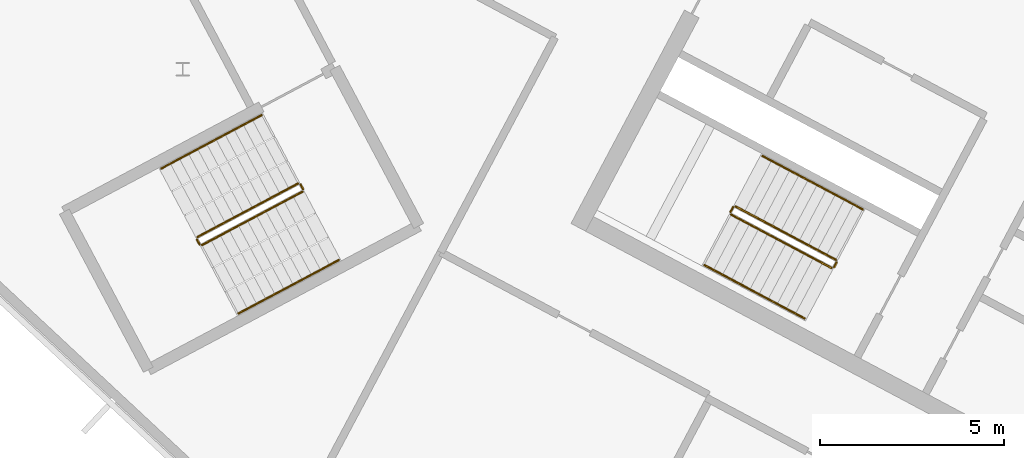
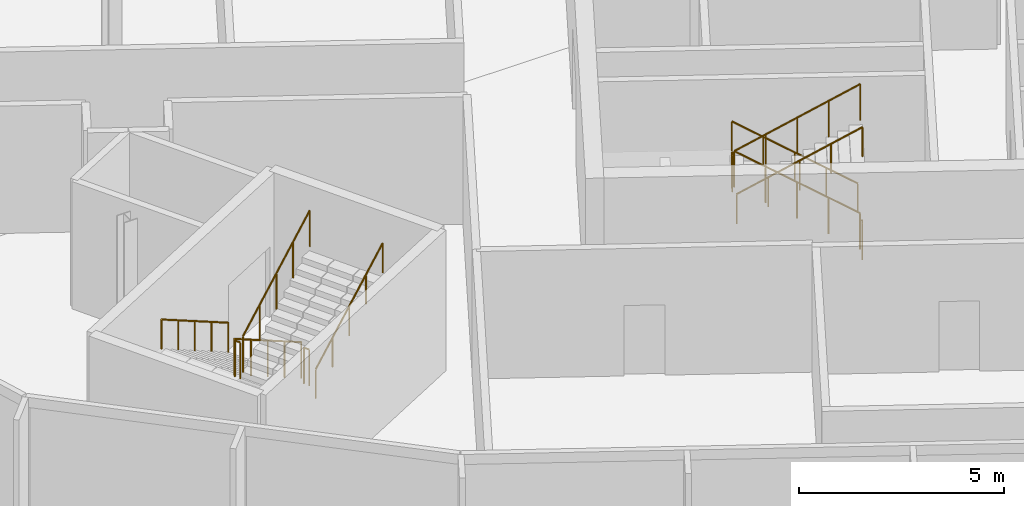
# One storey, part 11 of 15: 12 railings.
"""IFC4 building model written with IfcOpenShell, lengths in metres."""

from ifc_helpers import new_model, si_unit, direction, frame, origin, place, context, subcontext, project, spatial, polyline, outline, extrude, material, type_object, element, save


model = new_model("IFC4")

# Units and contexts
model_context = context("Model", 3, precision=1e-05, world=origin(), true_north=direction((0.0, 1.0)))
body_context = subcontext(model_context, "Body", "Model", "MODEL_VIEW")
ifc_project = project(units=[si_unit("LENGTHUNIT", "METRE"), si_unit("AREAUNIT", "SQUARE_METRE"), si_unit("VOLUMEUNIT", "CUBIC_METRE"), si_unit("PLANEANGLEUNIT", "RADIAN"), si_unit("MASSUNIT", "GRAM", prefix="KILO")], contexts=[model_context])

# Site, building, storey
site_placement = place(None, origin())
site = spatial("IfcSite", under=ifc_project, at=site_placement, CompositionType="ELEMENT")
building_placement = place(site_placement, origin())
building = spatial("IfcBuilding", under=site, at=building_placement, Name="Cormorant Relay Tower", CompositionType="ELEMENT")
storey_placement = place(building_placement, frame((0.0, 0.0, 332.39990234375)))
storey = spatial("IfcBuildingStorey", under=building, at=storey_placement, Name="C2", CompositionType="ELEMENT", Elevation=332.39990234375)

# Railings
ifc_material_1 = material(Name="Steel ASTM A572 Grade 50 (Fy 345 MPa)", Category="steel")
railing_type_1 = type_object("IfcRailingType", Name="Stair guard 1100", PredefinedType="GUARDRAIL", material=ifc_material_1)
railing_1_placement = place(storey_placement, frame((-33.9921875, 10.08935546875, 0.175048828125)))
element("IfcRailing", 1, at=railing_1_placement, inside=storey, type_object=railing_type_1, Name="C2 A2 stair guard 1", PredefinedType="GUARDRAIL", context=body_context, shape_type="SweptSolid", body=[
    extrude(outline(polyline([(0.022216796875, 0.00927734375), (0.00927734375, 0.022216796875), (-0.00927734375, 0.022216796875), (-0.022216796875, 0.00927734375), (-0.022216796875, -0.00927734375), (-0.00927734375, -0.022216796875), (0.00927734375, -0.022216796875), (0.022216796875, -0.00927734375), (0.022216796875, 0.00927734375)])), frame((0.0, 0.0, 1.076171875), z_axis=(-0.748727239859, 0.398124736663, 0.530003975787), x_axis=(-0.469489399267, -0.882938108802, 0.0)), (0.0, 0.0, 1.0), 3.632080078125),
    extrude(outline(polyline([(0.019287109375, 0.008056640625), (0.008056640625, 0.019287109375), (-0.008056640625, 0.019287109375), (-0.019287109375, 0.008056640625), (-0.019287109375, -0.008056640625), (-0.008056640625, -0.019287109375), (0.008056640625, -0.019287109375), (0.019287109375, -0.008056640625), (0.019287109375, 0.008056640625)])), origin(), (0.0, 0.0, 1.0), 1.052001953125),
    extrude(outline(polyline([(0.019287109375, 0.008056640625), (0.008056640625, 0.019287109375), (-0.008056640625, 0.019287109375), (-0.019287109375, 0.008056640625), (-0.019287109375, -0.008056640625), (-0.008056640625, -0.019287109375), (0.008056640625, -0.019287109375), (0.019287109375, -0.008056640625), (0.019287109375, 0.008056640625)])), frame((-0.679931640625, 0.361572265625, 0.481201171875)), (0.0, 0.0, 1.0), 1.052001953125),
    extrude(outline(polyline([(0.019287109375, 0.008056640625), (0.008056640625, 0.019287109375), (-0.008056640625, 0.019287109375), (-0.019287109375, 0.008056640625), (-0.019287109375, -0.008056640625), (-0.008056640625, -0.019287109375), (0.008056640625, -0.019287109375), (0.019287109375, -0.008056640625), (0.019287109375, 0.008056640625)])), frame((-1.35986328125, 0.72314453125, 0.96240234375)), (0.0, 0.0, 1.0), 1.052001953125),
    extrude(outline(polyline([(0.019287109375, 0.008056640625), (0.008056640625, 0.019287109375), (-0.008056640625, 0.019287109375), (-0.019287109375, 0.008056640625), (-0.019287109375, -0.008056640625), (-0.008056640625, -0.019287109375), (0.008056640625, -0.019287109375), (0.019287109375, -0.008056640625), (0.019287109375, 0.008056640625)])), frame((-2.03955078125, 1.08447265625, 1.44384765625)), (0.0, 0.0, 1.0), 1.052001953125),
    extrude(outline(polyline([(0.019287109375, 0.008056640625), (0.008056640625, 0.019287109375), (-0.008056640625, 0.019287109375), (-0.019287109375, 0.008056640625), (-0.019287109375, -0.008056640625), (-0.008056640625, -0.019287109375), (0.008056640625, -0.019287109375), (0.019287109375, -0.008056640625), (0.019287109375, 0.008056640625)])), frame((-2.719482421875, 1.446044921875, 1.925048828125)), (0.0, 0.0, 1.0), 1.052001953125),
])
railing_2_placement = place(storey_placement, frame((-36.779296875, 11.5146484375, 2.10009765625)))
element("IfcRailing", 2, at=railing_2_placement, inside=storey, type_object=railing_type_1, Name="C2 A2 stair guard 2", PredefinedType="GUARDRAIL", context=body_context, shape_type="SweptSolid", body=[
    extrude(outline(polyline([(0.022216796875, 0.00927734375), (0.00927734375, 0.022216796875), (-0.00927734375, 0.022216796875), (-0.022216796875, 0.00927734375), (-0.022216796875, -0.00927734375), (-0.00927734375, -0.022216796875), (0.00927734375, -0.022216796875), (0.022216796875, -0.00927734375), (0.022216796875, 0.00927734375)])), frame((0.0, 0.0, 1.076171875), z_axis=(-0.469234640946, -0.883073525669, 0.0), x_axis=(0.883073525669, -0.469234640946, 0.0)), (0.0, 0.0, 1.0), 0.14990234375),
    extrude(outline(polyline([(0.019287109375, 0.008056640625), (0.008056640625, 0.019287109375), (-0.008056640625, 0.019287109375), (-0.019287109375, 0.008056640625), (-0.019287109375, -0.008056640625), (-0.008056640625, -0.019287109375), (0.008056640625, -0.019287109375), (0.019287109375, -0.008056640625), (0.019287109375, 0.008056640625)])), origin(), (0.0, 0.0, 1.0), 1.052001953125),
    extrude(outline(polyline([(0.019287109375, 0.008056640625), (0.008056640625, 0.019287109375), (-0.008056640625, 0.019287109375), (-0.019287109375, 0.008056640625), (-0.019287109375, -0.008056640625), (-0.008056640625, -0.019287109375), (0.008056640625, -0.019287109375), (0.019287109375, -0.008056640625), (0.019287109375, 0.008056640625)])), frame((-0.0703125, -0.13232421875, 0.0)), (0.0, 0.0, 1.0), 1.052001953125),
])
railing_3_placement = place(storey_placement, frame((-36.8291015625, 11.314697265625, 2.275146484375)))
element("IfcRailing", 3, at=railing_3_placement, inside=storey, type_object=railing_type_1, Name="C2 A2 stair guard 3", PredefinedType="GUARDRAIL", context=body_context, shape_type="SweptSolid", body=[
    extrude(outline(polyline([(0.022216796875, 0.00927734375), (0.00927734375, 0.022216796875), (-0.00927734375, 0.022216796875), (-0.022216796875, 0.00927734375), (-0.022216796875, -0.00927734375), (-0.00927734375, -0.022216796875), (0.00927734375, -0.022216796875), (0.022216796875, -0.00927734375), (0.022216796875, 0.00927734375)])), frame((0.0, 0.0, 1.076171875), z_axis=(0.748727239859, -0.398124736663, 0.530003975787), x_axis=(0.469489399267, 0.882938108802, 0.0)), (0.0, 0.0, 1.0), 3.632080078125),
    extrude(outline(polyline([(0.019287109375, 0.008056640625), (0.008056640625, 0.019287109375), (-0.008056640625, 0.019287109375), (-0.019287109375, 0.008056640625), (-0.019287109375, -0.008056640625), (-0.008056640625, -0.019287109375), (0.008056640625, -0.019287109375), (0.019287109375, -0.008056640625), (0.019287109375, 0.008056640625)])), origin(), (0.0, 0.0, 1.0), 1.052001953125),
    extrude(outline(polyline([(0.019287109375, 0.008056640625), (0.008056640625, 0.019287109375), (-0.008056640625, 0.019287109375), (-0.019287109375, 0.008056640625), (-0.019287109375, -0.008056640625), (-0.008056640625, -0.019287109375), (0.008056640625, -0.019287109375), (0.019287109375, -0.008056640625), (0.019287109375, 0.008056640625)])), frame((0.679931640625, -0.361572265625, 0.481201171875)), (0.0, 0.0, 1.0), 1.052001953125),
    extrude(outline(polyline([(0.019287109375, 0.008056640625), (0.008056640625, 0.019287109375), (-0.008056640625, 0.019287109375), (-0.019287109375, 0.008056640625), (-0.019287109375, -0.008056640625), (-0.008056640625, -0.019287109375), (0.008056640625, -0.019287109375), (0.019287109375, -0.008056640625), (0.019287109375, 0.008056640625)])), frame((1.35986328125, -0.72314453125, 0.96240234375)), (0.0, 0.0, 1.0), 1.052001953125),
    extrude(outline(polyline([(0.019287109375, 0.008056640625), (0.008056640625, 0.019287109375), (-0.008056640625, 0.019287109375), (-0.019287109375, 0.008056640625), (-0.019287109375, -0.008056640625), (-0.008056640625, -0.019287109375), (0.008056640625, -0.019287109375), (0.019287109375, -0.008056640625), (0.019287109375, 0.008056640625)])), frame((2.03955078125, -1.08447265625, 1.44384765625)), (0.0, 0.0, 1.0), 1.052001953125),
    extrude(outline(polyline([(0.019287109375, 0.008056640625), (0.008056640625, 0.019287109375), (-0.008056640625, 0.019287109375), (-0.019287109375, 0.008056640625), (-0.019287109375, -0.008056640625), (-0.008056640625, -0.019287109375), (0.008056640625, -0.019287109375), (0.019287109375, -0.008056640625), (0.019287109375, 0.008056640625)])), frame((2.719482421875, -1.446044921875, 1.925048828125)), (0.0, 0.0, 1.0), 1.052001953125),
])
railing_4_placement = place(storey_placement, frame((-33.971435546875, 10.021728515625, 0.0)))
element("IfcRailing", 4, at=railing_4_placement, inside=storey, type_object=railing_type_1, Name="C2 A2 stair guard 4", PredefinedType="GUARDRAIL", context=body_context, shape_type="SweptSolid", body=[
    extrude(outline(polyline([(0.022216796875, 0.00927734375), (0.00927734375, 0.022216796875), (-0.00927734375, 0.022216796875), (-0.022216796875, 0.00927734375), (-0.022216796875, -0.00927734375), (-0.00927734375, -0.022216796875), (0.00927734375, -0.022216796875), (0.022216796875, -0.00927734375), (0.022216796875, 0.00927734375)])), frame((0.0, 0.0, 1.076171875), z_axis=(-0.470503732759, -0.882398003998, 0.0), x_axis=(0.882398003998, -0.470503732759, 0.0)), (0.0, 0.0, 1.0), 0.14990234375),
    extrude(outline(polyline([(0.019287109375, 0.008056640625), (0.008056640625, 0.019287109375), (-0.008056640625, 0.019287109375), (-0.019287109375, 0.008056640625), (-0.019287109375, -0.008056640625), (-0.008056640625, -0.019287109375), (0.008056640625, -0.019287109375), (0.019287109375, -0.008056640625), (0.019287109375, 0.008056640625)])), origin(), (0.0, 0.0, 1.0), 1.052001953125),
    extrude(outline(polyline([(0.019287109375, 0.008056640625), (0.008056640625, 0.019287109375), (-0.008056640625, 0.019287109375), (-0.019287109375, 0.008056640625), (-0.019287109375, -0.008056640625), (-0.008056640625, -0.019287109375), (0.008056640625, -0.019287109375), (0.019287109375, -0.008056640625), (0.019287109375, 0.008056640625)])), frame((-0.070556640625, -0.13232421875, 0.0)), (0.0, 0.0, 1.0), 1.052001953125),
])
railing_5_placement = place(storey_placement, frame((-48.5693359375, 12.155517578125, 0.175048828125)))
element("IfcRailing", 5, at=railing_5_placement, inside=storey, type_object=railing_type_1, Name="C2 RP1 stair guard 1", PredefinedType="GUARDRAIL", context=body_context, shape_type="SweptSolid", body=[
    extrude(outline(polyline([(0.022216796875, 0.00927734375), (0.00927734375, 0.022216796875), (-0.00927734375, 0.022216796875), (-0.022216796875, 0.00927734375), (-0.022216796875, -0.00927734375), (-0.00927734375, -0.022216796875), (0.00927734375, -0.022216796875), (0.022216796875, -0.00927734375), (0.022216796875, 0.00927734375)])), frame((0.0, 0.0, 1.076171875), z_axis=(-0.748727239859, -0.398124736663, 0.530003975787), x_axis=(0.469489399267, -0.882938108802, 0.0)), (0.0, 0.0, 1.0), 3.632080078125),
    extrude(outline(polyline([(0.019287109375, 0.008056640625), (0.008056640625, 0.019287109375), (-0.008056640625, 0.019287109375), (-0.019287109375, 0.008056640625), (-0.019287109375, -0.008056640625), (-0.008056640625, -0.019287109375), (0.008056640625, -0.019287109375), (0.019287109375, -0.008056640625), (0.019287109375, 0.008056640625)])), origin(), (0.0, 0.0, 1.0), 1.052001953125),
    extrude(outline(polyline([(0.019287109375, 0.008056640625), (0.008056640625, 0.019287109375), (-0.008056640625, 0.019287109375), (-0.019287109375, 0.008056640625), (-0.019287109375, -0.008056640625), (-0.008056640625, -0.019287109375), (0.008056640625, -0.019287109375), (0.019287109375, -0.008056640625), (0.019287109375, 0.008056640625)])), frame((-0.679931640625, -0.361572265625, 0.481201171875)), (0.0, 0.0, 1.0), 1.052001953125),
    extrude(outline(polyline([(0.019287109375, 0.008056640625), (0.008056640625, 0.019287109375), (-0.008056640625, 0.019287109375), (-0.019287109375, 0.008056640625), (-0.019287109375, -0.008056640625), (-0.008056640625, -0.019287109375), (0.008056640625, -0.019287109375), (0.019287109375, -0.008056640625), (0.019287109375, 0.008056640625)])), frame((-1.35986328125, -0.72314453125, 0.96240234375)), (0.0, 0.0, 1.0), 1.052001953125),
    extrude(outline(polyline([(0.019287109375, 0.008056640625), (0.008056640625, 0.019287109375), (-0.008056640625, 0.019287109375), (-0.019287109375, 0.008056640625), (-0.019287109375, -0.008056640625), (-0.008056640625, -0.019287109375), (0.008056640625, -0.019287109375), (0.019287109375, -0.008056640625), (0.019287109375, 0.008056640625)])), frame((-2.03955078125, -1.08447265625, 1.44384765625)), (0.0, 0.0, 1.0), 1.052001953125),
    extrude(outline(polyline([(0.019287109375, 0.008056640625), (0.008056640625, 0.019287109375), (-0.008056640625, 0.019287109375), (-0.019287109375, 0.008056640625), (-0.019287109375, -0.008056640625), (-0.008056640625, -0.019287109375), (0.008056640625, -0.019287109375), (0.019287109375, -0.008056640625), (0.019287109375, 0.008056640625)])), frame((-2.719482421875, -1.446044921875, 1.925048828125)), (0.0, 0.0, 1.0), 1.052001953125),
])
railing_6_placement = place(storey_placement, frame((-51.3095703125, 10.641845703125, 2.10009765625)))
element("IfcRailing", 6, at=railing_6_placement, inside=storey, type_object=railing_type_1, Name="C2 RP1 stair guard 2", PredefinedType="GUARDRAIL", context=body_context, shape_type="SweptSolid", body=[
    extrude(outline(polyline([(0.022216796875, 0.00927734375), (0.00927734375, 0.022216796875), (-0.00927734375, 0.022216796875), (-0.022216796875, 0.00927734375), (-0.022216796875, -0.00927734375), (-0.00927734375, -0.022216796875), (0.00927734375, -0.022216796875), (0.022216796875, -0.00927734375), (0.022216796875, 0.00927734375)])), frame((0.0, 0.0, 1.076171875), z_axis=(0.469828648786, -0.882757634224, 0.0), x_axis=(0.882757634224, 0.469828648786, 0.0)), (0.0, 0.0, 1.0), 0.150146484375),
    extrude(outline(polyline([(0.019287109375, 0.008056640625), (0.008056640625, 0.019287109375), (-0.008056640625, 0.019287109375), (-0.019287109375, 0.008056640625), (-0.019287109375, -0.008056640625), (-0.008056640625, -0.019287109375), (0.008056640625, -0.019287109375), (0.019287109375, -0.008056640625), (0.019287109375, 0.008056640625)])), origin(), (0.0, 0.0, 1.0), 1.052001953125),
    extrude(outline(polyline([(0.019287109375, 0.008056640625), (0.008056640625, 0.019287109375), (-0.008056640625, 0.019287109375), (-0.019287109375, 0.008056640625), (-0.019287109375, -0.008056640625), (-0.008056640625, -0.019287109375), (0.008056640625, -0.019287109375), (0.019287109375, -0.008056640625), (0.019287109375, 0.008056640625)])), frame((0.070556640625, -0.132568359375, 0.0)), (0.0, 0.0, 1.0), 1.052001953125),
])
railing_7_placement = place(storey_placement, frame((-51.17138671875, 10.48876953125, 2.275146484375)))
element("IfcRailing", 7, at=railing_7_placement, inside=storey, type_object=railing_type_1, Name="C2 RP1 stair guard 3", PredefinedType="GUARDRAIL", context=body_context, shape_type="SweptSolid", body=[
    extrude(outline(polyline([(0.022216796875, 0.00927734375), (0.00927734375, 0.022216796875), (-0.00927734375, 0.022216796875), (-0.022216796875, 0.00927734375), (-0.022216796875, -0.00927734375), (-0.00927734375, -0.022216796875), (0.00927734375, -0.022216796875), (0.022216796875, -0.00927734375), (0.022216796875, 0.00927734375)])), frame((0.0, 0.0, 1.076171875), z_axis=(0.748747275397, 0.39806817173, 0.530018158408), x_axis=(-0.469427602063, 0.882970965786, 0.0)), (0.0, 0.0, 1.0), 3.632080078125),
    extrude(outline(polyline([(0.019287109375, 0.008056640625), (0.008056640625, 0.019287109375), (-0.008056640625, 0.019287109375), (-0.019287109375, 0.008056640625), (-0.019287109375, -0.008056640625), (-0.008056640625, -0.019287109375), (0.008056640625, -0.019287109375), (0.019287109375, -0.008056640625), (0.019287109375, 0.008056640625)])), origin(), (0.0, 0.0, 1.0), 1.052001953125),
    extrude(outline(polyline([(0.019287109375, 0.008056640625), (0.008056640625, 0.019287109375), (-0.008056640625, 0.019287109375), (-0.019287109375, 0.008056640625), (-0.019287109375, -0.008056640625), (-0.008056640625, -0.019287109375), (0.008056640625, -0.019287109375), (0.019287109375, -0.008056640625), (0.019287109375, 0.008056640625)])), frame((0.679931640625, 0.361328125, 0.481201171875)), (0.0, 0.0, 1.0), 1.052001953125),
    extrude(outline(polyline([(0.019287109375, 0.008056640625), (0.008056640625, 0.019287109375), (-0.008056640625, 0.019287109375), (-0.019287109375, 0.008056640625), (-0.019287109375, -0.008056640625), (-0.008056640625, -0.019287109375), (0.008056640625, -0.019287109375), (0.019287109375, -0.008056640625), (0.019287109375, 0.008056640625)])), frame((1.35986328125, 0.722900390625, 0.96240234375)), (0.0, 0.0, 1.0), 1.052001953125),
    extrude(outline(polyline([(0.019287109375, 0.008056640625), (0.008056640625, 0.019287109375), (-0.008056640625, 0.019287109375), (-0.019287109375, 0.008056640625), (-0.019287109375, -0.008056640625), (-0.008056640625, -0.019287109375), (0.008056640625, -0.019287109375), (0.019287109375, -0.008056640625), (0.019287109375, 0.008056640625)])), frame((2.03955078125, 1.08447265625, 1.44384765625)), (0.0, 0.0, 1.0), 1.052001953125),
    extrude(outline(polyline([(0.019287109375, 0.008056640625), (0.008056640625, 0.019287109375), (-0.008056640625, 0.019287109375), (-0.019287109375, 0.008056640625), (-0.019287109375, -0.008056640625), (-0.008056640625, -0.019287109375), (0.008056640625, -0.019287109375), (0.019287109375, -0.008056640625), (0.019287109375, 0.008056640625)])), frame((2.719482421875, 1.44580078125, 1.925048828125)), (0.0, 0.0, 1.0), 1.052001953125),
])
railing_8_placement = place(storey_placement, frame((-48.501708984375, 12.134765625, 0.0)))
element("IfcRailing", 8, at=railing_8_placement, inside=storey, type_object=railing_type_1, Name="C2 RP1 stair guard 4", PredefinedType="GUARDRAIL", context=body_context, shape_type="SweptSolid", body=[
    extrude(outline(polyline([(0.022216796875, 0.00927734375), (0.00927734375, 0.022216796875), (-0.00927734375, 0.022216796875), (-0.022216796875, 0.00927734375), (-0.022216796875, -0.00927734375), (-0.00927734375, -0.022216796875), (0.00927734375, -0.022216796875), (0.022216796875, -0.00927734375), (0.022216796875, 0.00927734375)])), frame((0.0, 0.0, 1.076171875), z_axis=(0.46856034887, -0.8834314911, 0.0), x_axis=(0.8834314911, 0.46856034887, 0.0)), (0.0, 0.0, 1.0), 0.150146484375),
    extrude(outline(polyline([(0.019287109375, 0.008056640625), (0.008056640625, 0.019287109375), (-0.008056640625, 0.019287109375), (-0.019287109375, 0.008056640625), (-0.019287109375, -0.008056640625), (-0.008056640625, -0.019287109375), (0.008056640625, -0.019287109375), (0.019287109375, -0.008056640625), (0.019287109375, 0.008056640625)])), origin(), (0.0, 0.0, 1.0), 1.052001953125),
    extrude(outline(polyline([(0.019287109375, 0.008056640625), (0.008056640625, 0.019287109375), (-0.008056640625, 0.019287109375), (-0.019287109375, 0.008056640625), (-0.019287109375, -0.008056640625), (-0.008056640625, -0.019287109375), (0.008056640625, -0.019287109375), (0.019287109375, -0.008056640625), (0.019287109375, 0.008056640625)])), frame((0.0703125, -0.132568359375, 0.0)), (0.0, 0.0, 1.0), 1.052001953125),
])
ifc_material_2 = material(Name="Steel ASTM A572 Grade 50 (Fy 345 MPa)", Category="steel")
railing_type_2 = type_object("IfcRailingType", Name="Stair handrail 900", PredefinedType="HANDRAIL", material=ifc_material_2)
railing_9_placement = place(storey_placement, frame((-33.264404296875, 11.4580078125, 0.175048828125)))
element("IfcRailing", 9, at=railing_9_placement, inside=storey, type_object=railing_type_2, Name="C2 A2 stair handrail 1", PredefinedType="HANDRAIL", context=body_context, shape_type="SweptSolid", body=[
    extrude(outline(polyline([(0.022216796875, 0.00927734375), (0.00927734375, 0.022216796875), (-0.00927734375, 0.022216796875), (-0.022216796875, 0.00927734375), (-0.022216796875, -0.00927734375), (-0.00927734375, -0.022216796875), (0.00927734375, -0.022216796875), (0.022216796875, -0.00927734375), (0.022216796875, 0.00927734375)])), frame((0.0, 0.0, 0.8759765625), z_axis=(-0.748747275397, 0.39806817173, 0.530018158408), x_axis=(-0.469427602063, -0.882970965786, 0.0)), (0.0, 0.0, 1.0), 3.632080078125),
    extrude(outline(polyline([(0.019287109375, 0.008056640625), (0.008056640625, 0.019287109375), (-0.008056640625, 0.019287109375), (-0.019287109375, 0.008056640625), (-0.019287109375, -0.008056640625), (-0.008056640625, -0.019287109375), (0.008056640625, -0.019287109375), (0.019287109375, -0.008056640625), (0.019287109375, 0.008056640625)])), origin(), (0.0, 0.0, 1.0), 0.851806640625),
    extrude(outline(polyline([(0.019287109375, 0.008056640625), (0.008056640625, 0.019287109375), (-0.008056640625, 0.019287109375), (-0.019287109375, 0.008056640625), (-0.019287109375, -0.008056640625), (-0.008056640625, -0.019287109375), (0.008056640625, -0.019287109375), (0.019287109375, -0.008056640625), (0.019287109375, 0.008056640625)])), frame((-0.679931640625, 0.361328125, 0.481201171875)), (0.0, 0.0, 1.0), 0.851806640625),
    extrude(outline(polyline([(0.019287109375, 0.008056640625), (0.008056640625, 0.019287109375), (-0.008056640625, 0.019287109375), (-0.019287109375, 0.008056640625), (-0.019287109375, -0.008056640625), (-0.008056640625, -0.019287109375), (0.008056640625, -0.019287109375), (0.019287109375, -0.008056640625), (0.019287109375, 0.008056640625)])), frame((-1.35986328125, 0.722900390625, 0.96240234375)), (0.0, 0.0, 1.0), 0.851806640625),
    extrude(outline(polyline([(0.019287109375, 0.008056640625), (0.008056640625, 0.019287109375), (-0.008056640625, 0.019287109375), (-0.019287109375, 0.008056640625), (-0.019287109375, -0.008056640625), (-0.008056640625, -0.019287109375), (0.008056640625, -0.019287109375), (0.019287109375, -0.008056640625), (0.019287109375, 0.008056640625)])), frame((-2.03955078125, 1.08447265625, 1.44384765625)), (0.0, 0.0, 1.0), 0.851806640625),
    extrude(outline(polyline([(0.019287109375, 0.008056640625), (0.008056640625, 0.019287109375), (-0.008056640625, 0.019287109375), (-0.019287109375, 0.008056640625), (-0.019287109375, -0.008056640625), (-0.008056640625, -0.019287109375), (0.008056640625, -0.019287109375), (0.019287109375, -0.008056640625), (0.019287109375, 0.008056640625)])), frame((-2.719482421875, 1.44580078125, 1.925048828125)), (0.0, 0.0, 1.0), 0.851806640625),
])
railing_10_placement = place(storey_placement, frame((-37.556640625, 9.946044921875, 2.275146484375)))
element("IfcRailing", 10, at=railing_10_placement, inside=storey, type_object=railing_type_2, Name="C2 A2 stair handrail 2", PredefinedType="HANDRAIL", context=body_context, shape_type="SweptSolid", body=[
    extrude(outline(polyline([(0.022216796875, 0.00927734375), (0.00927734375, 0.022216796875), (-0.00927734375, 0.022216796875), (-0.022216796875, 0.00927734375), (-0.022216796875, -0.00927734375), (-0.00927734375, -0.022216796875), (0.00927734375, -0.022216796875), (0.022216796875, -0.00927734375), (0.022216796875, 0.00927734375)])), frame((0.0, 0.0, 0.8759765625), z_axis=(0.748727239859, -0.398124736663, 0.530003975787), x_axis=(0.469489399267, 0.882938108802, 0.0)), (0.0, 0.0, 1.0), 3.632080078125),
    extrude(outline(polyline([(0.019287109375, 0.008056640625), (0.008056640625, 0.019287109375), (-0.008056640625, 0.019287109375), (-0.019287109375, 0.008056640625), (-0.019287109375, -0.008056640625), (-0.008056640625, -0.019287109375), (0.008056640625, -0.019287109375), (0.019287109375, -0.008056640625), (0.019287109375, 0.008056640625)])), origin(), (0.0, 0.0, 1.0), 0.851806640625),
    extrude(outline(polyline([(0.019287109375, 0.008056640625), (0.008056640625, 0.019287109375), (-0.008056640625, 0.019287109375), (-0.019287109375, 0.008056640625), (-0.019287109375, -0.008056640625), (-0.008056640625, -0.019287109375), (0.008056640625, -0.019287109375), (0.019287109375, -0.008056640625), (0.019287109375, 0.008056640625)])), frame((0.679931640625, -0.361572265625, 0.481201171875)), (0.0, 0.0, 1.0), 0.851806640625),
    extrude(outline(polyline([(0.019287109375, 0.008056640625), (0.008056640625, 0.019287109375), (-0.008056640625, 0.019287109375), (-0.019287109375, 0.008056640625), (-0.019287109375, -0.008056640625), (-0.008056640625, -0.019287109375), (0.008056640625, -0.019287109375), (0.019287109375, -0.008056640625), (0.019287109375, 0.008056640625)])), frame((1.35986328125, -0.72314453125, 0.96240234375)), (0.0, 0.0, 1.0), 0.851806640625),
    extrude(outline(polyline([(0.019287109375, 0.008056640625), (0.008056640625, 0.019287109375), (-0.008056640625, 0.019287109375), (-0.019287109375, 0.008056640625), (-0.019287109375, -0.008056640625), (-0.008056640625, -0.019287109375), (0.008056640625, -0.019287109375), (0.019287109375, -0.008056640625), (0.019287109375, 0.008056640625)])), frame((2.03955078125, -1.08447265625, 1.44384765625)), (0.0, 0.0, 1.0), 0.851806640625),
    extrude(outline(polyline([(0.019287109375, 0.008056640625), (0.008056640625, 0.019287109375), (-0.008056640625, 0.019287109375), (-0.019287109375, 0.008056640625), (-0.019287109375, -0.008056640625), (-0.008056640625, -0.019287109375), (0.008056640625, -0.019287109375), (0.019287109375, -0.008056640625), (0.019287109375, 0.008056640625)])), frame((2.719482421875, -1.446044921875, 1.925048828125)), (0.0, 0.0, 1.0), 0.851806640625),
])
railing_11_placement = place(storey_placement, frame((-49.55517578125, 14.009521484375, 0.175048828125)))
element("IfcRailing", 11, at=railing_11_placement, inside=storey, type_object=railing_type_2, Name="C2 RP1 stair handrail 1", PredefinedType="HANDRAIL", context=body_context, shape_type="SweptSolid", body=[
    extrude(outline(polyline([(0.022216796875, 0.00927734375), (0.00927734375, 0.022216796875), (-0.00927734375, 0.022216796875), (-0.022216796875, 0.00927734375), (-0.022216796875, -0.00927734375), (-0.00927734375, -0.022216796875), (0.00927734375, -0.022216796875), (0.022216796875, -0.00927734375), (0.022216796875, 0.00927734375)])), frame((0.0, 0.0, 0.8759765625), z_axis=(-0.748747275397, -0.39806817173, 0.530018158408), x_axis=(0.469427602063, -0.882970965786, 0.0)), (0.0, 0.0, 1.0), 3.632080078125),
    extrude(outline(polyline([(0.019287109375, 0.008056640625), (0.008056640625, 0.019287109375), (-0.008056640625, 0.019287109375), (-0.019287109375, 0.008056640625), (-0.019287109375, -0.008056640625), (-0.008056640625, -0.019287109375), (0.008056640625, -0.019287109375), (0.019287109375, -0.008056640625), (0.019287109375, 0.008056640625)])), origin(), (0.0, 0.0, 1.0), 0.851806640625),
    extrude(outline(polyline([(0.019287109375, 0.008056640625), (0.008056640625, 0.019287109375), (-0.008056640625, 0.019287109375), (-0.019287109375, 0.008056640625), (-0.019287109375, -0.008056640625), (-0.008056640625, -0.019287109375), (0.008056640625, -0.019287109375), (0.019287109375, -0.008056640625), (0.019287109375, 0.008056640625)])), frame((-0.679931640625, -0.361328125, 0.481201171875)), (0.0, 0.0, 1.0), 0.851806640625),
    extrude(outline(polyline([(0.019287109375, 0.008056640625), (0.008056640625, 0.019287109375), (-0.008056640625, 0.019287109375), (-0.019287109375, 0.008056640625), (-0.019287109375, -0.008056640625), (-0.008056640625, -0.019287109375), (0.008056640625, -0.019287109375), (0.019287109375, -0.008056640625), (0.019287109375, 0.008056640625)])), frame((-1.35986328125, -0.722900390625, 0.96240234375)), (0.0, 0.0, 1.0), 0.851806640625),
    extrude(outline(polyline([(0.019287109375, 0.008056640625), (0.008056640625, 0.019287109375), (-0.008056640625, 0.019287109375), (-0.019287109375, 0.008056640625), (-0.019287109375, -0.008056640625), (-0.008056640625, -0.019287109375), (0.008056640625, -0.019287109375), (0.019287109375, -0.008056640625), (0.019287109375, 0.008056640625)])), frame((-2.03955078125, -1.08447265625, 1.44384765625)), (0.0, 0.0, 1.0), 0.851806640625),
    extrude(outline(polyline([(0.019287109375, 0.008056640625), (0.008056640625, 0.019287109375), (-0.008056640625, 0.019287109375), (-0.019287109375, 0.008056640625), (-0.019287109375, -0.008056640625), (-0.008056640625, -0.019287109375), (0.008056640625, -0.019287109375), (0.019287109375, -0.008056640625), (0.019287109375, 0.008056640625)])), frame((-2.719482421875, -1.44580078125, 1.925048828125)), (0.0, 0.0, 1.0), 0.851806640625),
])
railing_12_placement = place(storey_placement, frame((-50.185546875, 8.634521484375, 2.275146484375)))
element("IfcRailing", 12, at=railing_12_placement, inside=storey, type_object=railing_type_2, Name="C2 RP1 stair handrail 2", PredefinedType="HANDRAIL", context=body_context, shape_type="SweptSolid", body=[
    extrude(outline(polyline([(0.022216796875, 0.00927734375), (0.00927734375, 0.022216796875), (-0.00927734375, 0.022216796875), (-0.022216796875, 0.00927734375), (-0.022216796875, -0.00927734375), (-0.00927734375, -0.022216796875), (0.00927734375, -0.022216796875), (0.022216796875, -0.00927734375), (0.022216796875, 0.00927734375)])), frame((0.0, 0.0, 0.8759765625), z_axis=(0.748727239859, 0.398124736663, 0.530003975787), x_axis=(-0.469489399267, 0.882938108802, 0.0)), (0.0, 0.0, 1.0), 3.632080078125),
    extrude(outline(polyline([(0.019287109375, 0.008056640625), (0.008056640625, 0.019287109375), (-0.008056640625, 0.019287109375), (-0.019287109375, 0.008056640625), (-0.019287109375, -0.008056640625), (-0.008056640625, -0.019287109375), (0.008056640625, -0.019287109375), (0.019287109375, -0.008056640625), (0.019287109375, 0.008056640625)])), origin(), (0.0, 0.0, 1.0), 0.851806640625),
    extrude(outline(polyline([(0.019287109375, 0.008056640625), (0.008056640625, 0.019287109375), (-0.008056640625, 0.019287109375), (-0.019287109375, 0.008056640625), (-0.019287109375, -0.008056640625), (-0.008056640625, -0.019287109375), (0.008056640625, -0.019287109375), (0.019287109375, -0.008056640625), (0.019287109375, 0.008056640625)])), frame((0.679931640625, 0.361572265625, 0.481201171875)), (0.0, 0.0, 1.0), 0.851806640625),
    extrude(outline(polyline([(0.019287109375, 0.008056640625), (0.008056640625, 0.019287109375), (-0.008056640625, 0.019287109375), (-0.019287109375, 0.008056640625), (-0.019287109375, -0.008056640625), (-0.008056640625, -0.019287109375), (0.008056640625, -0.019287109375), (0.019287109375, -0.008056640625), (0.019287109375, 0.008056640625)])), frame((1.35986328125, 0.72314453125, 0.96240234375)), (0.0, 0.0, 1.0), 0.851806640625),
    extrude(outline(polyline([(0.019287109375, 0.008056640625), (0.008056640625, 0.019287109375), (-0.008056640625, 0.019287109375), (-0.019287109375, 0.008056640625), (-0.019287109375, -0.008056640625), (-0.008056640625, -0.019287109375), (0.008056640625, -0.019287109375), (0.019287109375, -0.008056640625), (0.019287109375, 0.008056640625)])), frame((2.03955078125, 1.08447265625, 1.44384765625)), (0.0, 0.0, 1.0), 0.851806640625),
    extrude(outline(polyline([(0.019287109375, 0.008056640625), (0.008056640625, 0.019287109375), (-0.008056640625, 0.019287109375), (-0.019287109375, 0.008056640625), (-0.019287109375, -0.008056640625), (-0.008056640625, -0.019287109375), (0.008056640625, -0.019287109375), (0.019287109375, -0.008056640625), (0.019287109375, 0.008056640625)])), frame((2.719482421875, 1.446044921875, 1.925048828125)), (0.0, 0.0, 1.0), 0.851806640625),
])

save(model, "model.ifc")
